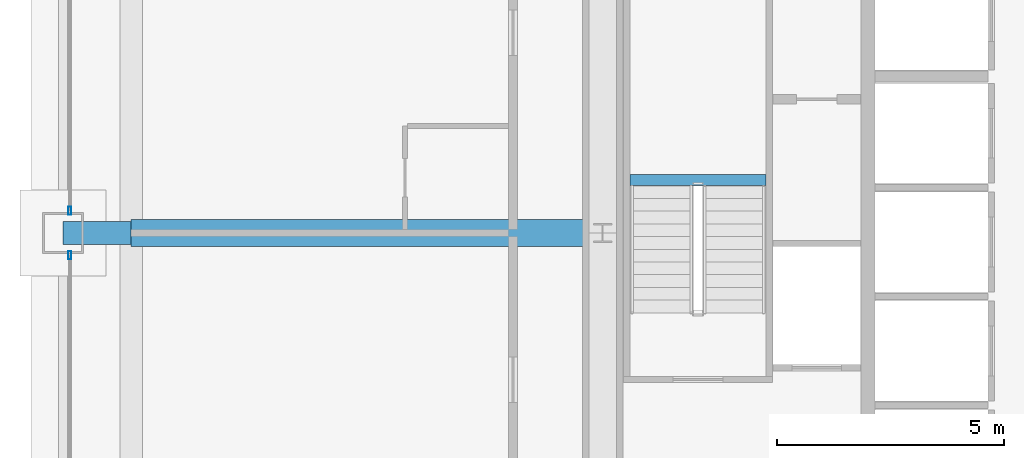
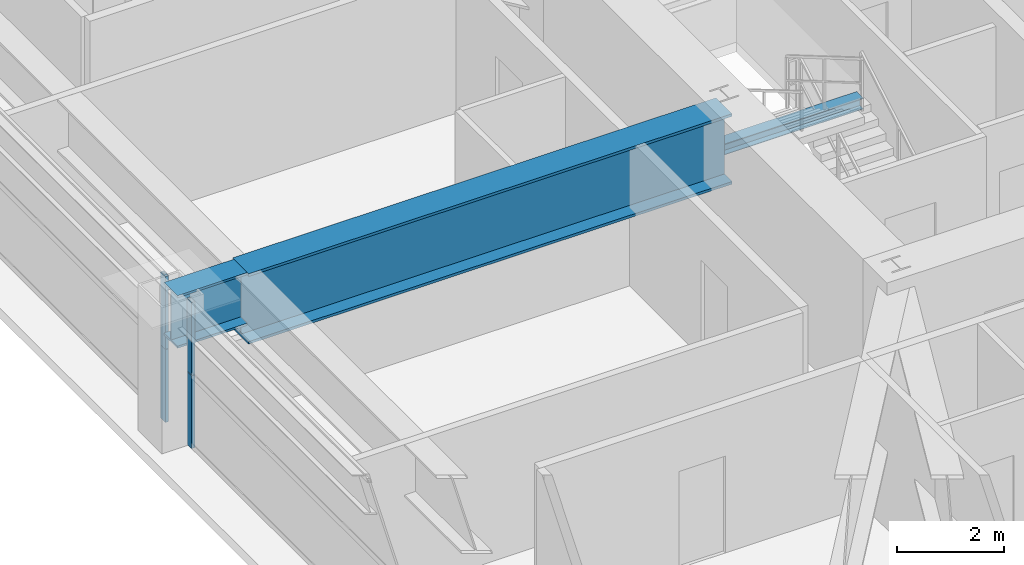
# One storey, part 11 of 44: 4 members, 3 beams, 2 elements without a shape of their own.
"""IFC4 building model written with IfcOpenShell, lengths in metres."""

from ifc_helpers import new_model, si_unit, direction, frame, origin, origin_2d, place, context, subcontext, project, spatial, hollow_rectangle, i_section, extrude, source, transform, mapped, material, layer, layer_set, material_profile, profile_set, type_object, element, aggregate, save


model = new_model("IFC4")

# Units and contexts
model_context = context("Model", 3, precision=1e-05, world=origin(), true_north=direction((0.0, 1.0)))
body_context = subcontext(model_context, "Body", "Model", "MODEL_VIEW")
ifc_project = project(units=[si_unit("LENGTHUNIT", "METRE"), si_unit("AREAUNIT", "SQUARE_METRE"), si_unit("VOLUMEUNIT", "CUBIC_METRE"), si_unit("PLANEANGLEUNIT", "RADIAN"), si_unit("MASSUNIT", "GRAM", prefix="KILO"), si_unit("THERMODYNAMICTEMPERATUREUNIT", "KELVIN"), si_unit("POWERUNIT", "WATT")], contexts=[model_context])

# Site, building, storey
site_placement = place(None, origin())
site = spatial("IfcSite", under=ifc_project, at=site_placement, CompositionType="ELEMENT")
building_placement = place(site_placement, origin())
building = spatial("IfcBuilding", under=site, at=building_placement, Name="Yuzanri Waterfront Tower", CompositionType="ELEMENT")
storey_placement = place(building_placement, frame((0.0, 0.0, 82.0)))
storey = spatial("IfcBuildingStorey", under=building, at=storey_placement, Name="L21", CompositionType="ELEMENT", Elevation=82.0)

# Beams
ifc_material_1 = material(Name="Steel Q420GJC", Category="steel")
ifc_material_profile_1 = material_profile(ifc_material_1, i_section(OverallWidth=0.5, OverallDepth=1.199951171875, WebThickness=0.028076171875, FlangeThickness=0.050048828125, at=origin_2d()), Name="PG 1200x500x28x50")
ifc_profile_set_1 = profile_set([ifc_material_profile_1], Name="Steel Q420GJC")
beam_type_1 = type_object("IfcBeamType", Name="Setback Transfer Girder Q420GJC PG 1200x500", PredefinedType="USERDEFINED", material=ifc_profile_set_1)
shared_shape_1 = source(origin(), body_context, "Body", "SweptSolid", [
    extrude(i_section(OverallWidth=0.5, OverallDepth=1.199951171875, WebThickness=0.028076171875, FlangeThickness=0.050048828125, at=origin_2d()), origin(), (0.0, 0.0, 1.0), 1.5),
])
beam_1_placement = place(storey_placement, frame((13.39990234375, 25.800048828125, 2.719970703125), z_axis=(-1.0, 0.0, 0.0), x_axis=(0.0, -1.0, 0.0)))
element("IfcBeam", 1, at=beam_1_placement, inside=storey, type_object=beam_type_1, Name="L21 Setback Step Transfer W2", ObjectType="GIRDER", PredefinedType="USERDEFINED", context=body_context, shape_type="MappedRepresentation", body=[
    mapped(shared_shape_1, transform((0.0, 0.0, 0.0), scale=1.0)),
])
ifc_material_2 = material(Name="Steel Q420GJC", Category="steel")
ifc_material_profile_2 = material_profile(ifc_material_2, i_section(OverallWidth=0.60009765625, OverallDepth=1.60009765625, WebThickness=0.031982421875, FlangeThickness=0.06005859375, at=origin_2d()), Name="PG 1600x600x32x60")
ifc_profile_set_2 = profile_set([ifc_material_profile_2], Name="Steel Q420GJC")
beam_type_2 = type_object("IfcBeamType", Name="Ballroom Transfer Girder Q420GJC PG 1600x600", PredefinedType="USERDEFINED", material=ifc_profile_set_2)
shared_shape_2 = source(origin(), body_context, "Body", "SweptSolid", [
    extrude(i_section(OverallWidth=0.60009765625, OverallDepth=1.60009765625, WebThickness=0.031982421875, FlangeThickness=0.06005859375, at=origin_2d()), origin(), (0.0, 0.0, 1.0), 10.400146484375),
])
beam_2_placement = place(storey_placement, frame((23.800048828125, 25.800048828125, 2.52001953125), z_axis=(-1.0, 0.0, 0.0), x_axis=(0.0, -1.0, 0.0)))
element("IfcBeam", 2, at=beam_2_placement, inside=storey, type_object=beam_type_2, Name="L21 Setback Inner Transfer W2", ObjectType="GIRDER", PredefinedType="USERDEFINED", context=body_context, shape_type="MappedRepresentation", body=[
    mapped(shared_shape_2, transform((0.0, 0.0, 0.0), scale=1.0)),
])

# Curtain wall, members
ifc_material_3 = material(Name="Anodized Architectural Bronze", Category="metal")
ifc_layer = layer(ifc_material_3, 0.159912109375)
ifc_layer_set = layer_set([ifc_layer], Name="Anodized Architectural Bronze")
curtain_wall_type = type_object("IfcCurtainWallType", Name="Anodized Bronze Hotel Lower-Tier Recessed Unitized Curtain Wall 8100", PredefinedType="NOTDEFINED", material=ifc_layer_set)
curtain_wall_1_placement = place(storey_placement, origin())
curtain_wall_1 = element("IfcCurtainWall", 3, at=curtain_wall_1_placement, inside=storey, type_object=curtain_wall_type, Name="L21 Curtain Wall CW-L21-WL", PredefinedType="NOTDEFINED")
ifc_material_4 = material(Name="Anodized Architectural Bronze", Category="metal")
ifc_material_profile_3 = material_profile(ifc_material_4, hollow_rectangle(XDim=0.070068359375, YDim=0.179931640625, WallThickness=0.00390625, at=origin_2d()), Name="CWM 70x180")
ifc_profile_set_3 = profile_set([ifc_material_profile_3], Name="Anodized Architectural Bronze")
member_type = type_object("IfcMemberType", Name="Anodized Bronze Standard Curtain-Wall Mullion 70x180", PredefinedType="MULLION", material=ifc_profile_set_3)
shared_shape_3 = source(origin(), body_context, "Body", "SweptSolid", [
    extrude(hollow_rectangle(XDim=0.070068359375, YDim=0.179931640625, WallThickness=0.00390625, at=origin_2d()), origin(), (0.0, 0.0, 1.0), 1.657958984375),
])
member_1_placement = place(storey_placement, frame((12.050048828125, 25.31005859375, 0.0), z_axis=(0.0, 0.0, 1.0), x_axis=(1.0, 0.0, 0.0)))
member_1 = element("IfcMember", 4, at=member_1_placement, type_object=member_type, Name="CW-L21-WL Lower Mullion 02", PredefinedType="MULLION", context=body_context, shape_type="MappedRepresentation", body=[
    mapped(shared_shape_3, transform((0.0, 0.0, 0.0), scale=1.0)),
])
member_2_placement = place(storey_placement, frame((12.050048828125, 25.31005859375, 1.662109375), z_axis=(0.0, 0.0, 1.0), x_axis=(1.0, 0.0, 0.0)))
member_2 = element("IfcMember", 5, at=member_2_placement, type_object=member_type, Name="CW-L21-WL Upper Mullion 02", PredefinedType="MULLION", context=body_context, shape_type="MappedRepresentation", body=[
    mapped(shared_shape_3, transform((0.0, 0.0, 0.0), scale=1.0)),
])
aggregate(curtain_wall_1, [member_1, member_2])

curtain_wall_2_placement = place(storey_placement, origin())
curtain_wall_2 = element("IfcCurtainWall", 6, at=curtain_wall_2_placement, inside=storey, type_object=curtain_wall_type, Name="L21 Curtain Wall CW-L21-WR", PredefinedType="NOTDEFINED")
member_3_placement = place(storey_placement, frame((12.050048828125, 26.2900390625, 0.0), z_axis=(0.0, 0.0, 1.0), x_axis=(1.0, 0.0, 0.0)))
member_3 = element("IfcMember", 7, at=member_3_placement, type_object=member_type, Name="CW-L21-WR Lower Mullion 00", PredefinedType="MULLION", context=body_context, shape_type="MappedRepresentation", body=[
    mapped(shared_shape_3, transform((0.0, 0.0, 0.0), scale=1.0)),
])
member_4_placement = place(storey_placement, frame((12.050048828125, 26.2900390625, 1.662109375), z_axis=(0.0, 0.0, 1.0), x_axis=(1.0, 0.0, 0.0)))
member_4 = element("IfcMember", 8, at=member_4_placement, type_object=member_type, Name="CW-L21-WR Upper Mullion 00", PredefinedType="MULLION", context=body_context, shape_type="MappedRepresentation", body=[
    mapped(shared_shape_3, transform((0.0, 0.0, 0.0), scale=1.0)),
])
aggregate(curtain_wall_2, [member_3, member_4])

# Beam
ifc_material_5 = material(Name="Steel Q355B", Category="steel")
ifc_material_profile_4 = material_profile(ifc_material_5, i_section(OverallWidth=0.25, OverallDepth=0.25, WebThickness=0.009033203125, FlangeThickness=0.013916015625, at=origin_2d()), Name="HW 250x250x9x14")
ifc_profile_set_4 = profile_set([ifc_material_profile_4], Name="Steel Q355B")
beam_type_3 = type_object("IfcBeamType", Name="Stair Landing Support Beam Q355B HW 250x250", PredefinedType="BEAM", material=ifc_profile_set_4)
shared_shape_4 = source(origin(), body_context, "Body", "SweptSolid", [
    extrude(i_section(OverallWidth=0.25, OverallDepth=0.25, WebThickness=0.009033203125, FlangeThickness=0.013916015625, at=origin_2d()), origin(), (0.0, 0.0, 1.0), 3.0),
])
beam_3_placement = place(storey_placement, frame((24.39990234375, 26.969970703125, 1.47509765625), z_axis=(1.0, 0.0, 0.0), x_axis=(0.0, 1.0, 0.0)))
element("IfcBeam", 9, at=beam_3_placement, inside=storey, type_object=beam_type_3, Name="L21 Stair Landing Support Beam ST-01-L21-L1-1", PredefinedType="BEAM", context=body_context, shape_type="MappedRepresentation", body=[
    mapped(shared_shape_4, transform((0.0, 0.0, 0.0), scale=1.0)),
])

save(model, "model.ifc")
